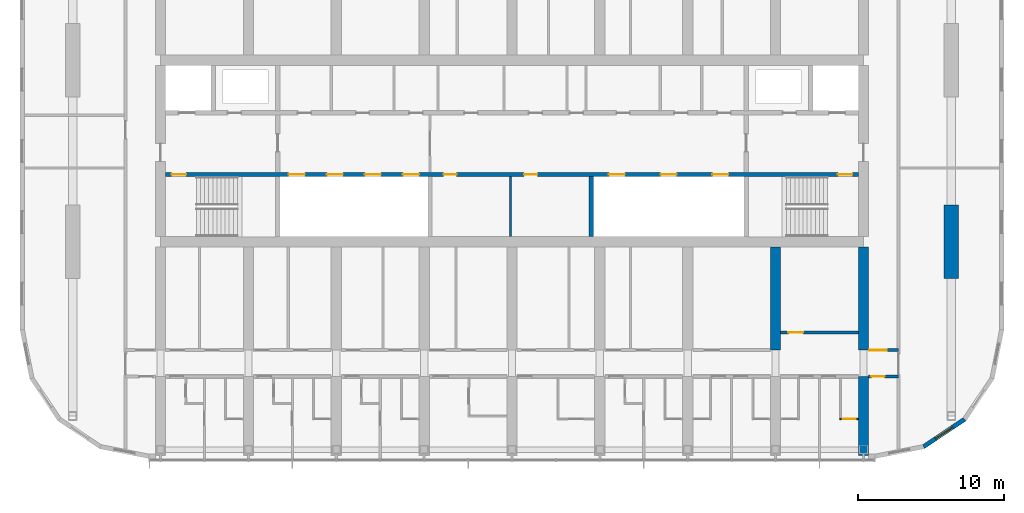
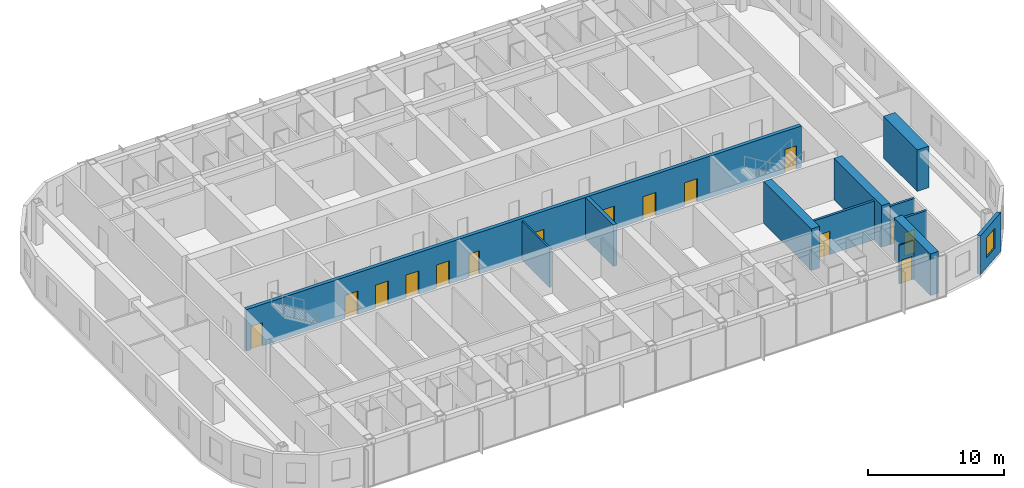
# One storey, part 14 of 24: 15 doors, 12 walls, 1 window, 16 openings.
"""IFC4 building model written with IfcOpenShell, lengths in metres."""

import ifcopenshell
import ifcopenshell.guid

model = None  # the IFC model being written
_history = None  # IfcOwnerHistory: only IFC2X3 demands one
_inside = {}  # id of a spatial element -> (the spatial element, [elements in it])
_under = {}  # id of a project, library or spatial element -> (it, [spatial elements below it])
_declared = {}  # id of a project -> (the project, [libraries it declares])
_typed = {}  # id of a type object -> (the type object, [elements of that type])
_made_of = {}  # id of a material, layer set ... -> (it, [elements and type objects made of it])


def new_model(schema):
    """Start an empty IFC model of exactly this schema.

    Asked for "IFC4X3", IfcOpenShell would pick the latest addendum, in which some entities
    have other attributes; the version numbers below select the first issue.
    IFC2X3 requires an IfcOwnerHistory on every rooted entity: one is made here for all.
    """
    global model, _history
    if schema == "IFC4X3":
        model = ifcopenshell.file(schema_version=(4, 3, 0, 0))
    else:
        model = ifcopenshell.file(schema=schema)
    _inside.clear()
    _under.clear()
    _declared.clear()
    _typed.clear()
    _made_of.clear()
    _history = None
    if model.schema == "IFC2X3":
        org = make("IfcOrganization", Name="unknown")
        user = make(
            "IfcPersonAndOrganization",
            ThePerson=make("IfcPerson", FamilyName="unknown"),
            TheOrganization=org,
        )
        app = make(
            "IfcApplication",
            ApplicationDeveloper=org,
            Version="unknown",
            ApplicationFullName="unknown",
            ApplicationIdentifier="unknown",
        )
        _history = make(
            "IfcOwnerHistory",
            OwningUser=user,
            OwningApplication=app,
            ChangeAction="ADDED",
            CreationDate=0,
        )
    return model


def make(cls, **values):
    """One entity of the class cls with the attributes given. An attribute that is None is left unset."""
    return model.create_entity(
        cls, **{name: value for name, value in values.items() if value is not None}
    )


def rooted(cls, **values):
    """An entity with a GlobalId (a new one), such as an element, a storey or a relation."""
    return make(cls, GlobalId=ifcopenshell.guid.new(), OwnerHistory=_history, **values)


def si_unit(unit_type, name, prefix=None):
    """IfcSIUnit, for example si_unit("LENGTHUNIT", "METRE", prefix="MILLI")."""
    return make("IfcSIUnit", UnitType=unit_type, Prefix=prefix, Name=name)


def assignment(units):
    """IfcUnitAssignment: the units of a project."""
    return None if units is None else make("IfcUnitAssignment", Units=units)


def point(xyz):
    """IfcCartesianPoint."""
    return None if xyz is None else make("IfcCartesianPoint", Coordinates=xyz)


def direction(xyz):
    """IfcDirection."""
    return None if xyz is None else make("IfcDirection", DirectionRatios=xyz)


def frame(location, z_axis=None, x_axis=None):
    """IfcAxis2Placement3D, a coordinate frame: its origin and axes. An axis left out is left unset."""
    return make(
        "IfcAxis2Placement3D",
        Location=point(location),
        Axis=direction(z_axis),
        RefDirection=direction(x_axis),
    )


def frame_2d(location, x_axis=None):
    """IfcAxis2Placement2D, a coordinate frame in the plane: its origin and x axis."""
    return make(
        "IfcAxis2Placement2D", Location=point(location), RefDirection=direction(x_axis)
    )


def origin():
    """The frame at (0, 0, 0) with its axes left unset."""
    return frame((0.0, 0.0, 0.0))


def place(relative_to, where):
    """IfcLocalPlacement: puts the frame where relative to a parent placement (None: the world)."""
    return make(
        "IfcLocalPlacement", PlacementRelTo=relative_to, RelativePlacement=where
    )


def context(
    kind, dimensions, precision=None, world=None, true_north=None, identifier=None
):
    """IfcGeometricRepresentationContext, for example the 3D "Model" context."""
    return make(
        "IfcGeometricRepresentationContext",
        ContextIdentifier=identifier,
        ContextType=kind,
        CoordinateSpaceDimension=dimensions,
        Precision=precision,
        WorldCoordinateSystem=world,
        TrueNorth=true_north,
    )


def subcontext(parent, identifier, kind, view, scale=None):
    """IfcGeometricRepresentationSubContext, for example "Body" below "Model"."""
    return make(
        "IfcGeometricRepresentationSubContext",
        ContextIdentifier=identifier,
        ContextType=kind,
        ParentContext=parent,
        TargetScale=scale,
        TargetView=view,
    )


def project(units=None, contexts=None):
    """IfcProject with its units and contexts."""
    return rooted(
        "IfcProject",
        Name="project",
        RepresentationContexts=contexts,
        UnitsInContext=assignment(units),
    )


def spatial(cls, under=None, at=None, **own):
    """A site, building, storey or space (cls), placed at a placement, below another one or the project."""
    s = rooted(cls, ObjectPlacement=at, **own)
    if under is not None:
        _under.setdefault(under.id(), (under, []))[1].append(s)
    return s


def polyline(points):
    """IfcPolyline through the points."""
    return make("IfcPolyline", Points=[point(p) for p in points])


def profile(cls, at=None, kind="AREA", **sizes):
    """A parametric profile (cls). Its sizes go by their IFC names, for example OverallWidth=200.0."""
    return make(cls, ProfileType=kind, Position=at, **sizes)


def rectangle(**sizes):
    """IfcRectangleProfileDef."""
    return profile("IfcRectangleProfileDef", **sizes)


def outline(outer, holes=None, kind="AREA"):
    """IfcArbitraryClosedProfileDef: a profile drawn as a closed curve; with holes, ...WithVoids."""
    if holes is None:
        return make("IfcArbitraryClosedProfileDef", ProfileType=kind, OuterCurve=outer)
    return make(
        "IfcArbitraryProfileDefWithVoids",
        ProfileType=kind,
        OuterCurve=outer,
        InnerCurves=holes,
    )


def extrude(swept, where, along, depth):
    """IfcExtrudedAreaSolid: the profile swept, set in the frame where, extruded along a direction by depth."""
    return make(
        "IfcExtrudedAreaSolid",
        SweptArea=swept,
        Position=where,
        ExtrudedDirection=direction(along),
        Depth=depth,
    )


def shape(context_of_items, identifier, shape_type, items):
    """IfcShapeRepresentation: the items that make up one representation, for example the "Body"."""
    return make(
        "IfcShapeRepresentation",
        ContextOfItems=context_of_items,
        RepresentationIdentifier=identifier,
        RepresentationType=shape_type,
        Items=items,
    )


def material(Name=None, Category=None):
    """IfcMaterial."""
    return make("IfcMaterial", Name=Name, Category=Category)


def layer(
    of_material, thickness, ventilated=None, Name=None, Category=None, Priority=None
):
    """IfcMaterialLayer: one layer of a wall or slab, of a material (None: an air gap)."""
    return make(
        "IfcMaterialLayer",
        Material=of_material,
        LayerThickness=thickness,
        IsVentilated=ventilated,
        Name=Name,
        Category=Category,
        Priority=Priority,
    )


def layer_set(layers, Name=None):
    """IfcMaterialLayerSet."""
    return make("IfcMaterialLayerSet", MaterialLayers=layers, LayerSetName=Name)


def made_of(thing, what):
    """Note that an element or type object is made of a material, layer set ...; save() writes the relation."""
    if what is not None:
        _made_of.setdefault(what.id(), (what, []))[1].append(thing)
    return thing


def type_object(cls, material=None, **own):
    """A type object (cls), such as IfcWallType, which elements share."""
    return made_of(rooted(cls, **own), material)


def element(
    cls,
    number,
    at=None,
    inside=None,
    cuts=None,
    type_object=None,
    material=None,
    context=None,
    identifier="Body",
    shape_type=None,
    held_by="IfcProductDefinitionShape",
    body=None,
    shapes=None,
    **own,
):
    """One element of the class cls, such as IfcWall. Its Tag is "e" and its number.

    at: its placement. inside: the storey or other place that contains it. cuts: it is an
    opening in that element (IfcRelVoidsElement). A single representation is given by context,
    identifier, shape_type and body (its items); several are given by shapes. held_by: the class
    of the entity that holds the representations. save() writes the other relations.
    """
    e = rooted(cls, Tag="e%d" % number, ObjectPlacement=at, **own)
    if body is not None:
        shapes = [shape(context, identifier, shape_type, body)]
    if shapes is not None:
        e.Representation = make(held_by, Representations=shapes)
    if inside is not None:
        _inside.setdefault(inside.id(), (inside, []))[1].append(e)
    if cuts is not None:
        rooted(
            "IfcRelVoidsElement", RelatingBuildingElement=cuts, RelatedOpeningElement=e
        )
    if type_object is not None:
        _typed.setdefault(type_object.id(), (type_object, []))[1].append(e)
    return made_of(e, material)


def fill(opening, filler):
    """IfcRelFillsElement: the door or window that sits in an opening."""
    return rooted(
        "IfcRelFillsElement",
        RelatingOpeningElement=opening,
        RelatedBuildingElement=filler,
    )


def aggregate(whole, parts):
    """IfcRelAggregates: a whole, such as a stair, and the parts it consists of."""
    return rooted("IfcRelAggregates", RelatingObject=whole, RelatedObjects=parts)


def save(model, path):
    """Write the relations noted so far, then the file.

    IfcRelAggregates (storeys below a building ...), IfcRelContainedInSpatialStructure (elements
    in a storey), IfcRelDefinesByType, IfcRelAssociatesMaterial and IfcRelDeclares: one each for
    every whole, place, type object, material and project.
    """
    for whole, parts in _under.values():
        aggregate(whole, parts)
    for where, things in _inside.values():
        rooted(
            "IfcRelContainedInSpatialStructure",
            RelatedElements=things,
            RelatingStructure=where,
        )
    for kind, things in _typed.values():
        rooted("IfcRelDefinesByType", RelatedObjects=things, RelatingType=kind)
    for what, things in _made_of.values():
        rooted("IfcRelAssociatesMaterial", RelatedObjects=things, RelatingMaterial=what)
    for by, libraries in _declared.values():
        rooted("IfcRelDeclares", RelatingContext=by, RelatedDefinitions=libraries)
    model.write(path)


model = new_model("IFC4")

# Units and contexts
model_context = context("Model", 3, precision=1e-05, world=origin(), true_north=direction((0.0, 1.0)))
body_context = subcontext(model_context, "Body", "Model", "MODEL_VIEW")
ifc_project = project(units=[si_unit("LENGTHUNIT", "METRE"), si_unit("AREAUNIT", "SQUARE_METRE"), si_unit("VOLUMEUNIT", "CUBIC_METRE"), si_unit("PLANEANGLEUNIT", "RADIAN"), si_unit("MASSUNIT", "GRAM", prefix="KILO")], contexts=[model_context])

# Site, building, storey
site_placement = place(None, origin())
site = spatial("IfcSite", under=ifc_project, at=site_placement, CompositionType="ELEMENT")
building_placement = place(site_placement, origin())
building = spatial("IfcBuilding", under=site, at=building_placement, Name="Orbita Commons", CompositionType="ELEMENT")
storey_placement = place(building_placement, frame((0.0, 0.0, 239.050048828125)))
storey = spatial("IfcBuildingStorey", under=building, at=storey_placement, Name="L59", CompositionType="ELEMENT", Elevation=239.050048828125)

# Wall, openings, doors
ifc_material_1 = material(Name="Concrete C50/60", Category="concrete")
ifc_layer_1 = layer(ifc_material_1, 0.300048828125)
ifc_layer_set_1 = layer_set([ifc_layer_1], Name="Concrete C50/60")
wall_type_1 = type_object("IfcWallType", Name="Core inner wall 300 C50/60", PredefinedType="SHEAR", material=ifc_layer_set_1)
wall_1_placement = place(storey_placement, frame((18.35009765625, 30.39990234375, 0.0), z_axis=(0.0, 0.0, 1.0), x_axis=(1.0, 0.0, 0.0)))
wall_1 = element("IfcWall", 1, at=wall_1_placement, inside=storey, type_object=wall_type_1, Name="Lobby wall south L59", PredefinedType="SHEAR", context=body_context, shape_type="SweptSolid", body=[
    extrude(rectangle(XDim=47.2998046875, YDim=0.300048828125, at=frame_2d((23.64990234375, 0.0))), origin(), (0.0, 0.0, 1.0), 3.75),
])
opening_1_placement = place(wall_1_placement, frame((0.39990234375, 0.0, 0.0)))
opening_1 = element("IfcOpeningElement", 2, at=opening_1_placement, cuts=wall_1, Name="Opening D02", PredefinedType="OPENING", context=body_context, shape_type="SweptSolid", body=[
    extrude(rectangle(XDim=1.0, YDim=2.10009765625, at=frame_2d((0.5, 1.050048828125))), frame((0.0, 0.159912109375, 0.0), z_axis=(0.0, -1.0, 0.0), x_axis=(1.0, 0.0, 0.0)), (0.0, 0.0, 1.0), 0.320068359375),
])
opening_2_placement = place(wall_1_placement, frame((45.89990234375, 0.0, 0.0)))
opening_2 = element("IfcOpeningElement", 3, at=opening_2_placement, cuts=wall_1, Name="Opening D02", PredefinedType="OPENING", context=body_context, shape_type="SweptSolid", body=[
    extrude(rectangle(XDim=1.0, YDim=2.10009765625, at=frame_2d((0.5, 1.050048828125))), frame((0.0, 0.159912109375, 0.0), z_axis=(0.0, -1.0, 0.0), x_axis=(1.0, 0.0, 0.0)), (0.0, 0.0, 1.0), 0.320068359375),
])
opening_3_placement = place(wall_1_placement, frame((8.39990234375, 0.0, 0.0)))
opening_3 = element("IfcOpeningElement", 4, at=opening_3_placement, cuts=wall_1, Name="Opening LD02", PredefinedType="OPENING", context=body_context, shape_type="SweptSolid", body=[
    extrude(rectangle(XDim=1.10009765625, YDim=2.10009765625, at=frame_2d((0.550048828125, 1.050048828125))), frame((0.0, 0.159912109375, 0.0), z_axis=(0.0, -1.0, 0.0), x_axis=(1.0, 0.0, 0.0)), (0.0, 0.0, 1.0), 0.320068359375),
])
opening_4_placement = place(wall_1_placement, frame((11.0, 0.0, 0.0)))
opening_4 = element("IfcOpeningElement", 5, at=opening_4_placement, cuts=wall_1, Name="Opening LD02", PredefinedType="OPENING", context=body_context, shape_type="SweptSolid", body=[
    extrude(rectangle(XDim=1.10009765625, YDim=2.10009765625, at=frame_2d((0.550048828125, 1.050048828125))), frame((0.0, 0.159912109375, 0.0), z_axis=(0.0, -1.0, 0.0), x_axis=(1.0, 0.0, 0.0)), (0.0, 0.0, 1.0), 0.320068359375),
])
opening_5_placement = place(wall_1_placement, frame((13.60009765625, 0.0, 0.0)))
opening_5 = element("IfcOpeningElement", 6, at=opening_5_placement, cuts=wall_1, Name="Opening LD02", PredefinedType="OPENING", context=body_context, shape_type="SweptSolid", body=[
    extrude(rectangle(XDim=1.10009765625, YDim=2.10009765625, at=frame_2d((0.550048828125, 1.050048828125))), frame((0.0, 0.159912109375, 0.0), z_axis=(0.0, -1.0, 0.0), x_axis=(1.0, 0.0, 0.0)), (0.0, 0.0, 1.0), 0.320068359375),
])
opening_6_placement = place(wall_1_placement, frame((16.199951171875, 0.0, 0.0)))
opening_6 = element("IfcOpeningElement", 7, at=opening_6_placement, cuts=wall_1, Name="Opening LD02", PredefinedType="OPENING", context=body_context, shape_type="SweptSolid", body=[
    extrude(rectangle(XDim=1.10009765625, YDim=2.10009765625, at=frame_2d((0.550048828125, 1.050048828125))), frame((0.0, 0.159912109375, 0.0), z_axis=(0.0, -1.0, 0.0), x_axis=(1.0, 0.0, 0.0)), (0.0, 0.0, 1.0), 0.320068359375),
])
opening_7_placement = place(wall_1_placement, frame((18.97509765625, 0.0, 0.0)))
opening_7 = element("IfcOpeningElement", 8, at=opening_7_placement, cuts=wall_1, Name="Opening D05", PredefinedType="OPENING", context=body_context, shape_type="SweptSolid", body=[
    extrude(rectangle(XDim=0.89990234375, YDim=2.10009765625, at=frame_2d((0.449951171875, 1.050048828125))), frame((0.0, 0.159912109375, 0.0), z_axis=(0.0, -1.0, 0.0), x_axis=(1.0, 0.0, 0.0)), (0.0, 0.0, 1.0), 0.320068359375),
])
opening_8_placement = place(wall_1_placement, frame((24.47509765625, 0.0, 0.0)))
opening_8 = element("IfcOpeningElement", 9, at=opening_8_placement, cuts=wall_1, Name="Opening D05", PredefinedType="OPENING", context=body_context, shape_type="SweptSolid", body=[
    extrude(rectangle(XDim=0.89990234375, YDim=2.10009765625, at=frame_2d((0.449951171875, 1.050048828125))), frame((0.0, 0.159912109375, 0.0), z_axis=(0.0, -1.0, 0.0), x_axis=(1.0, 0.0, 0.0)), (0.0, 0.0, 1.0), 0.320068359375),
])
opening_9_placement = place(wall_1_placement, frame((30.2666015625, 0.0, 0.0)))
opening_9 = element("IfcOpeningElement", 10, at=opening_9_placement, cuts=wall_1, Name="Opening LD02", PredefinedType="OPENING", context=body_context, shape_type="SweptSolid", body=[
    extrude(rectangle(XDim=1.10009765625, YDim=2.10009765625, at=frame_2d((0.550048828125, 1.050048828125))), frame((0.0, 0.159912109375, 0.0), z_axis=(0.0, -1.0, 0.0), x_axis=(1.0, 0.0, 0.0)), (0.0, 0.0, 1.0), 0.320068359375),
])
opening_10_placement = place(wall_1_placement, frame((33.800048828125, 0.0, 0.0)))
opening_10 = element("IfcOpeningElement", 11, at=opening_10_placement, cuts=wall_1, Name="Opening LD02", PredefinedType="OPENING", context=body_context, shape_type="SweptSolid", body=[
    extrude(rectangle(XDim=1.10009765625, YDim=2.10009765625, at=frame_2d((0.550048828125, 1.050048828125))), frame((0.0, 0.159912109375, 0.0), z_axis=(0.0, -1.0, 0.0), x_axis=(1.0, 0.0, 0.0)), (0.0, 0.0, 1.0), 0.320068359375),
])
opening_11_placement = place(wall_1_placement, frame((37.333251953125, 0.0, 0.0)))
opening_11 = element("IfcOpeningElement", 12, at=opening_11_placement, cuts=wall_1, Name="Opening LD02", PredefinedType="OPENING", context=body_context, shape_type="SweptSolid", body=[
    extrude(rectangle(XDim=1.10009765625, YDim=2.10009765625, at=frame_2d((0.550048828125, 1.050048828125))), frame((0.0, 0.159912109375, 0.0), z_axis=(0.0, -1.0, 0.0), x_axis=(1.0, 0.0, 0.0)), (0.0, 0.0, 1.0), 0.320068359375),
])
ifc_material_2 = material(Name="Steel-faced fire door leaf", Category="steel")
door_type_1 = type_object("IfcDoorType", Name="Fire door 90 min 1000x2100", OperationType="SINGLE_SWING_LEFT", PredefinedType="DOOR", material=ifc_material_2)
door_1_placement = place(opening_1_placement, origin())
door_1 = element("IfcDoor", 13, at=door_1_placement, inside=storey, type_object=door_type_1, Name="Stair S1 door", OperationType="SINGLE_SWING_LEFT", OverallHeight=2.10009765625, OverallWidth=1.0, PredefinedType="DOOR", context=body_context, shape_type="SweptSolid", body=[
    extrude(rectangle(XDim=1.0, YDim=2.10009765625, at=frame_2d((0.5, 1.050048828125))), frame((0.0, 0.02490234375, 0.0), z_axis=(0.0, -1.0, 0.0), x_axis=(1.0, 0.0, 0.0)), (0.0, 0.0, 1.0), 0.050048828125),
])
fill(opening_1, door_1)
door_2_placement = place(opening_2_placement, origin())
door_2 = element("IfcDoor", 14, at=door_2_placement, inside=storey, type_object=door_type_1, Name="Stair S2 door", OperationType="SINGLE_SWING_LEFT", OverallHeight=2.10009765625, OverallWidth=1.0, PredefinedType="DOOR", context=body_context, shape_type="SweptSolid", body=[
    extrude(rectangle(XDim=1.0, YDim=2.10009765625, at=frame_2d((0.5, 1.050048828125))), frame((0.0, 0.02490234375, 0.0), z_axis=(0.0, -1.0, 0.0), x_axis=(1.0, 0.0, 0.0)), (0.0, 0.0, 1.0), 0.050048828125),
])
fill(opening_2, door_2)
ifc_material_3 = material(Name="Steel-faced fire door leaf", Category="steel")
door_type_2 = type_object("IfcDoorType", Name="Lift landing door 1100x2100", OperationType="DOUBLE_DOOR_SLIDING", PredefinedType="DOOR", material=ifc_material_3)
door_3_placement = place(opening_3_placement, origin())
door_3 = element("IfcDoor", 15, at=door_3_placement, inside=storey, type_object=door_type_2, Name="Lift P41 landing door", OperationType="DOUBLE_DOOR_SLIDING", OverallHeight=2.10009765625, OverallWidth=1.10009765625, PredefinedType="DOOR", context=body_context, shape_type="SweptSolid", body=[
    extrude(rectangle(XDim=1.10009765625, YDim=2.10009765625, at=frame_2d((0.550048828125, 1.050048828125))), frame((0.0, 0.02490234375, 0.0), z_axis=(0.0, -1.0, 0.0), x_axis=(1.0, 0.0, 0.0)), (0.0, 0.0, 1.0), 0.050048828125),
])
fill(opening_3, door_3)
door_4_placement = place(opening_4_placement, origin())
door_4 = element("IfcDoor", 16, at=door_4_placement, inside=storey, type_object=door_type_2, Name="Lift P42 landing door", OperationType="DOUBLE_DOOR_SLIDING", OverallHeight=2.10009765625, OverallWidth=1.10009765625, PredefinedType="DOOR", context=body_context, shape_type="SweptSolid", body=[
    extrude(rectangle(XDim=1.10009765625, YDim=2.10009765625, at=frame_2d((0.550048828125, 1.050048828125))), frame((0.0, 0.02490234375, 0.0), z_axis=(0.0, -1.0, 0.0), x_axis=(1.0, 0.0, 0.0)), (0.0, 0.0, 1.0), 0.050048828125),
])
fill(opening_4, door_4)
door_5_placement = place(opening_5_placement, origin())
door_5 = element("IfcDoor", 17, at=door_5_placement, inside=storey, type_object=door_type_2, Name="Lift P43 landing door", OperationType="DOUBLE_DOOR_SLIDING", OverallHeight=2.10009765625, OverallWidth=1.10009765625, PredefinedType="DOOR", context=body_context, shape_type="SweptSolid", body=[
    extrude(rectangle(XDim=1.10009765625, YDim=2.10009765625, at=frame_2d((0.550048828125, 1.050048828125))), frame((0.0, 0.02490234375, 0.0), z_axis=(0.0, -1.0, 0.0), x_axis=(1.0, 0.0, 0.0)), (0.0, 0.0, 1.0), 0.050048828125),
])
fill(opening_5, door_5)
door_6_placement = place(opening_6_placement, origin())
door_6 = element("IfcDoor", 18, at=door_6_placement, inside=storey, type_object=door_type_2, Name="Lift P44 landing door", OperationType="DOUBLE_DOOR_SLIDING", OverallHeight=2.10009765625, OverallWidth=1.10009765625, PredefinedType="DOOR", context=body_context, shape_type="SweptSolid", body=[
    extrude(rectangle(XDim=1.10009765625, YDim=2.10009765625, at=frame_2d((0.550048828125, 1.050048828125))), frame((0.0, 0.02490234375, 0.0), z_axis=(0.0, -1.0, 0.0), x_axis=(1.0, 0.0, 0.0)), (0.0, 0.0, 1.0), 0.050048828125),
])
fill(opening_6, door_6)
door_7_placement = place(opening_9_placement, origin())
door_7 = element("IfcDoor", 19, at=door_7_placement, inside=storey, type_object=door_type_2, Name="Lift SV1 landing door", OperationType="DOUBLE_DOOR_SLIDING", OverallHeight=2.10009765625, OverallWidth=1.10009765625, PredefinedType="DOOR", context=body_context, shape_type="SweptSolid", body=[
    extrude(rectangle(XDim=1.10009765625, YDim=2.10009765625, at=frame_2d((0.550048828125, 1.050048828125))), frame((0.0, 0.02490234375, 0.0), z_axis=(0.0, -1.0, 0.0), x_axis=(1.0, 0.0, 0.0)), (0.0, 0.0, 1.0), 0.050048828125),
])
fill(opening_9, door_7)
door_8_placement = place(opening_10_placement, origin())
door_8 = element("IfcDoor", 20, at=door_8_placement, inside=storey, type_object=door_type_2, Name="Lift SV2 landing door", OperationType="DOUBLE_DOOR_SLIDING", OverallHeight=2.10009765625, OverallWidth=1.10009765625, PredefinedType="DOOR", context=body_context, shape_type="SweptSolid", body=[
    extrude(rectangle(XDim=1.10009765625, YDim=2.10009765625, at=frame_2d((0.550048828125, 1.050048828125))), frame((0.0, 0.02490234375, 0.0), z_axis=(0.0, -1.0, 0.0), x_axis=(1.0, 0.0, 0.0)), (0.0, 0.0, 1.0), 0.050048828125),
])
fill(opening_10, door_8)
door_9_placement = place(opening_11_placement, origin())
door_9 = element("IfcDoor", 21, at=door_9_placement, inside=storey, type_object=door_type_2, Name="Lift SV3 landing door", OperationType="DOUBLE_DOOR_SLIDING", OverallHeight=2.10009765625, OverallWidth=1.10009765625, PredefinedType="DOOR", context=body_context, shape_type="SweptSolid", body=[
    extrude(rectangle(XDim=1.10009765625, YDim=2.10009765625, at=frame_2d((0.550048828125, 1.050048828125))), frame((0.0, 0.02490234375, 0.0), z_axis=(0.0, -1.0, 0.0), x_axis=(1.0, 0.0, 0.0)), (0.0, 0.0, 1.0), 0.050048828125),
])
fill(opening_11, door_9)
ifc_material_4 = material(Name="Steel-faced fire door leaf", Category="steel")
door_type_3 = type_object("IfcDoorType", Name="Service door 20 min 900x2100", OperationType="SINGLE_SWING_LEFT", PredefinedType="DOOR", material=ifc_material_4)
door_10_placement = place(opening_7_placement, origin())
door_10 = element("IfcDoor", 22, at=door_10_placement, inside=storey, type_object=door_type_3, Name="Mail room door", OperationType="SINGLE_SWING_LEFT", OverallHeight=2.10009765625, OverallWidth=0.89990234375, PredefinedType="DOOR", context=body_context, shape_type="SweptSolid", body=[
    extrude(rectangle(XDim=0.89990234375, YDim=2.10009765625, at=frame_2d((0.449951171875, 1.050048828125))), frame((0.0, 0.02490234375, 0.0), z_axis=(0.0, -1.0, 0.0), x_axis=(1.0, 0.0, 0.0)), (0.0, 0.0, 1.0), 0.050048828125),
])
fill(opening_7, door_10)
door_11_placement = place(opening_8_placement, origin())
door_11 = element("IfcDoor", 23, at=door_11_placement, inside=storey, type_object=door_type_3, Name="Residents' store door", OperationType="SINGLE_SWING_LEFT", OverallHeight=2.10009765625, OverallWidth=0.89990234375, PredefinedType="DOOR", context=body_context, shape_type="SweptSolid", body=[
    extrude(rectangle(XDim=0.89990234375, YDim=2.10009765625, at=frame_2d((0.449951171875, 1.050048828125))), frame((0.0, 0.02490234375, 0.0), z_axis=(0.0, -1.0, 0.0), x_axis=(1.0, 0.0, 0.0)), (0.0, 0.0, 1.0), 0.050048828125),
])
fill(opening_8, door_11)

# Walls
wall_2_placement = place(storey_placement, frame((47.39990234375, 26.14990234375, 0.0), z_axis=(0.0, 0.0, 1.0), x_axis=(0.0, 1.0, 0.0)))
element("IfcWall", 24, at=wall_2_placement, inside=storey, type_object=wall_type_1, Name="Hoistway division wall L59", PredefinedType="SHEAR", context=body_context, shape_type="SweptSolid", body=[
    extrude(rectangle(XDim=4.10009765625, YDim=0.300048828125, at=frame_2d((2.050048828125, 0.0))), origin(), (0.0, 0.0, 1.0), 3.75),
])
ifc_material_5 = material(Name="Concrete blockwork", Category="masonry")
ifc_layer_2 = layer(ifc_material_5, 0.14990234375)
ifc_layer_set_2 = layer_set([ifc_layer_2], Name="Concrete blockwork")
wall_type_2 = type_object("IfcWallType", Name="Core partition 150 blockwork", PredefinedType="SOLIDWALL", material=ifc_layer_set_2)
wall_3_placement = place(storey_placement, frame((41.89990234375, 26.14990234375, 0.0), z_axis=(0.0, 0.0, 1.0), x_axis=(0.0, 1.0, 0.0)))
element("IfcWall", 25, at=wall_3_placement, inside=storey, type_object=wall_type_2, Name="Core partition 150 blockwork L59", PredefinedType="SOLIDWALL", context=body_context, shape_type="SweptSolid", body=[
    extrude(rectangle(XDim=4.10009765625, YDim=0.14990234375, at=frame_2d((2.050048828125, 0.0))), origin(), (0.0, 0.0, 1.0), 3.5),
])

# Wall, opening, door
ifc_material_6 = material(Name="Concrete blockwork", Category="masonry")
ifc_layer_3 = layer(ifc_material_6, 0.199951171875)
ifc_layer_set_3 = layer_set([ifc_layer_3], Name="Concrete blockwork")
wall_type_3 = type_object("IfcWallType", Name="Corridor wall 200 blockwork", PredefinedType="SOLIDWALL", material=ifc_layer_set_3)
wall_4_placement = place(storey_placement, frame((66.35009765625, 16.60009765625, 0.0), z_axis=(0.0, 0.0, 1.0), x_axis=(1.0, 0.0, 0.0)))
wall_4 = element("IfcWall", 26, at=wall_4_placement, inside=storey, type_object=wall_type_3, Name="Corridor wall 200 blockwork L59", PredefinedType="SOLIDWALL", context=body_context, shape_type="SweptSolid", body=[
    extrude(rectangle(XDim=2.0498046875, YDim=0.199951171875, at=frame_2d((1.02490234375, 0.0))), origin(), (0.0, 0.0, 1.0), 3.5),
])
opening_12_placement = place(wall_4_placement, frame((0.199951171875, 0.0, 0.0)))
opening_12 = element("IfcOpeningElement", 27, at=opening_12_placement, cuts=wall_4, Name="Opening D05", PredefinedType="OPENING", context=body_context, shape_type="SweptSolid", body=[
    extrude(rectangle(XDim=0.89990234375, YDim=2.10009765625, at=frame_2d((0.449951171875, 1.050048828125))), frame((0.0, 0.10986328125, 0.0), z_axis=(0.0, -1.0, 0.0), x_axis=(1.0, 0.0, 0.0)), (0.0, 0.0, 1.0), 0.219970703125),
])
door_12_placement = place(opening_12_placement, origin())
door_12 = element("IfcDoor", 28, at=door_12_placement, inside=storey, type_object=door_type_3, Name="Linen store L59-KES door", OperationType="SINGLE_SWING_LEFT", OverallHeight=2.10009765625, OverallWidth=0.89990234375, PredefinedType="DOOR", context=body_context, shape_type="SweptSolid", body=[
    extrude(rectangle(XDim=0.89990234375, YDim=2.10009765625, at=frame_2d((0.449951171875, 1.050048828125))), frame((0.0, 0.02490234375, 0.0), z_axis=(0.0, -1.0, 0.0), x_axis=(1.0, 0.0, 0.0)), (0.0, 0.0, 1.0), 0.050048828125),
])
fill(opening_12, door_12)

ifc_material_7 = material(Name="Hollow concrete block 200", Category="concrete")
ifc_layer_4 = layer(ifc_material_7, 0.199951171875)
ifc_layer_set_4 = layer_set([ifc_layer_4], Name="Hollow concrete block 200")
wall_type_4 = type_object("IfcWallType", Name="Corridor wall 200 hollow concrete block", PredefinedType="SOLIDWALL", material=ifc_layer_set_4)
wall_5_placement = place(storey_placement, frame((66.35009765625, 18.39990234375, 0.0), z_axis=(0.0, 0.0, 1.0), x_axis=(1.0, 0.0, 0.0)))
wall_5 = element("IfcWall", 29, at=wall_5_placement, inside=storey, type_object=wall_type_4, Name="Corridor wall 200 hollow concrete block L59", PredefinedType="SOLIDWALL", context=body_context, shape_type="SweptSolid", body=[
    extrude(rectangle(XDim=2.0498046875, YDim=0.199951171875, at=frame_2d((1.02490234375, 0.0))), origin(), (0.0, 0.0, 1.0), 3.5),
])
opening_13_placement = place(wall_5_placement, frame((0.050048828125, 0.0, 0.0)))
opening_13 = element("IfcOpeningElement", 30, at=opening_13_placement, cuts=wall_5, Name="Opening D12", PredefinedType="OPENING", context=body_context, shape_type="SweptSolid", body=[
    extrude(rectangle(XDim=1.199951171875, YDim=2.10009765625, at=frame_2d((0.60009765625, 1.050048828125))), frame((0.0, 0.10986328125, 0.0), z_axis=(0.0, -1.0, 0.0), x_axis=(1.0, 0.0, 0.0)), (0.0, 0.0, 1.0), 0.219970703125),
])
ifc_material_8 = material(Name="Steel-faced fire door leaf", Category="steel")
door_type_4 = type_object("IfcDoorType", Name="Double corridor door 20 min 1200x2100", OperationType="DOUBLE_DOOR_SINGLE_SWING", PredefinedType="DOOR", material=ifc_material_8)
door_13_placement = place(opening_13_placement, origin())
door_13 = element("IfcDoor", 31, at=door_13_placement, inside=storey, type_object=door_type_4, Name="Cross corridor doors", OperationType="DOUBLE_DOOR_SINGLE_SWING", OverallHeight=2.10009765625, OverallWidth=1.199951171875, PredefinedType="DOOR", context=body_context, shape_type="SweptSolid", body=[
    extrude(rectangle(XDim=1.199951171875, YDim=2.10009765625, at=frame_2d((0.60009765625, 1.050048828125))), frame((0.0, 0.02490234375, 0.0), z_axis=(0.0, -1.0, 0.0), x_axis=(1.0, 0.0, 0.0)), (0.0, 0.0, 1.0), 0.050048828125),
])
fill(opening_13, door_13)

wall_6_placement = place(storey_placement, frame((60.35009765625, 19.60009765625, 0.0), z_axis=(0.0, 0.0, 1.0), x_axis=(1.0, 0.0, 0.0)))
wall_6 = element("IfcWall", 32, at=wall_6_placement, inside=storey, type_object=wall_type_4, Name="Corridor wall 200 hollow concrete block L59", PredefinedType="SOLIDWALL", context=body_context, shape_type="SweptSolid", body=[
    extrude(rectangle(XDim=5.2998046875, YDim=0.199951171875, at=frame_2d((2.64990234375, 0.0))), origin(), (0.0, 0.0, 1.0), 3.5),
])
opening_14_placement = place(wall_6_placement, frame((0.52490234375, 0.0, 0.0)))
opening_14 = element("IfcOpeningElement", 33, at=opening_14_placement, cuts=wall_6, Name="Opening D06", PredefinedType="OPENING", context=body_context, shape_type="SweptSolid", body=[
    extrude(rectangle(XDim=1.0, YDim=2.10009765625, at=frame_2d((0.5, 1.050048828125))), frame((0.0, 0.10986328125, 0.0), z_axis=(0.0, -1.0, 0.0), x_axis=(1.0, 0.0, 0.0)), (0.0, 0.0, 1.0), 0.219970703125),
])
ifc_material_9 = material(Name="Steel-faced fire door leaf", Category="steel")
door_type_5 = type_object("IfcDoorType", Name="Corridor door 20 min 1000x2100", OperationType="SINGLE_SWING_LEFT", PredefinedType="DOOR", material=ifc_material_9)
door_14_placement = place(opening_14_placement, origin())
door_14 = element("IfcDoor", 34, at=door_14_placement, inside=storey, type_object=door_type_5, Name="Ventilation plant room north L59-BDS60 door", OperationType="SINGLE_SWING_LEFT", OverallHeight=2.10009765625, OverallWidth=1.0, PredefinedType="DOOR", context=body_context, shape_type="SweptSolid", body=[
    extrude(rectangle(XDim=1.0, YDim=2.10009765625, at=frame_2d((0.5, 1.050048828125))), frame((0.0, 0.02490234375, 0.0), z_axis=(0.0, -1.0, 0.0), x_axis=(1.0, 0.0, 0.0)), (0.0, 0.0, 1.0), 0.050048828125),
])
fill(opening_14, door_14)

# Walls
ifc_material_10 = material(Name="Concrete C50/60", Category="concrete")
ifc_layer_5 = layer(ifc_material_10, 0.699951171875)
ifc_layer_set_5 = layer_set([ifc_layer_5], Name="Concrete C50/60")
wall_type_5 = type_object("IfcWallType", Name="Cross wall 700 C50/60", PredefinedType="SHEAR", material=ifc_layer_set_5)
wall_7_placement = place(storey_placement, frame((60.0, 18.39990234375, 0.0), z_axis=(0.0, 0.0, 1.0), x_axis=(0.0, 1.0, 0.0)))
element("IfcWall", 35, at=wall_7_placement, inside=storey, type_object=wall_type_5, Name="Cross wall 11 south inner L59", PredefinedType="SHEAR", context=body_context, shape_type="SweptSolid", body=[
    extrude(rectangle(XDim=7.050048828125, YDim=0.699951171875, at=frame_2d((3.52490234375, 0.0))), origin(), (0.0, 0.0, 1.0), 3.75),
])
wall_8_placement = place(storey_placement, frame((66.0, 11.199951171875, 0.0), z_axis=(0.0, 0.0, 1.0), x_axis=(0.0, 1.0, 0.0)))
element("IfcWall", 36, at=wall_8_placement, inside=storey, type_object=wall_type_5, Name="Cross wall 12 south outer L59", PredefinedType="SHEAR", context=body_context, shape_type="SweptSolid", body=[
    extrude(rectangle(XDim=5.400146484375, YDim=0.699951171875, at=frame_2d((2.7001953125, 0.0))), origin(), (0.0, 0.0, 1.0), 3.75),
])
wall_9_placement = place(storey_placement, frame((66.0, 18.39990234375, 0.0), z_axis=(0.0, 0.0, 1.0), x_axis=(0.0, 1.0, 0.0)))
element("IfcWall", 37, at=wall_9_placement, inside=storey, type_object=wall_type_5, Name="Cross wall 12 south inner L59", PredefinedType="SHEAR", context=body_context, shape_type="SweptSolid", body=[
    extrude(rectangle(XDim=7.050048828125, YDim=0.699951171875, at=frame_2d((3.52490234375, 0.0))), origin(), (0.0, 0.0, 1.0), 3.75),
])

# Wall, opening, door
ifc_material_11 = material(Name="Moisture-resistant plasterboard on steel studs", Category="steel")
ifc_layer_6 = layer(ifc_material_11, 0.10009765625)
ifc_layer_set_6 = layer_set([ifc_layer_6], Name="Moisture-resistant plasterboard on steel studs")
wall_type_6 = type_object("IfcWallType", Name="En-suite partition 100", PredefinedType="PARTITIONING", material=ifc_layer_set_6)
wall_10_placement = place(storey_placement, frame((65.64990234375, 13.699951171875, 0.0), z_axis=(0.0, 0.0, 1.0), x_axis=(-1.0, 0.0, 0.0)))
wall_10 = element("IfcWall", 38, at=wall_10_placement, inside=storey, type_object=wall_type_6, Name="En-suite partition 100 L59", PredefinedType="PARTITIONING", context=body_context, shape_type="SweptSolid", body=[
    extrude(rectangle(XDim=1.25, YDim=0.10009765625, at=frame_2d((0.625, 0.0))), origin(), (0.0, 0.0, 1.0), 3.5),
])
opening_15_placement = place(wall_10_placement, frame((0.175048828125, 0.0, 0.0)))
opening_15 = element("IfcOpeningElement", 39, at=opening_15_placement, cuts=wall_10, Name="Opening D09", PredefinedType="OPENING", context=body_context, shape_type="SweptSolid", body=[
    extrude(rectangle(XDim=0.89990234375, YDim=2.10009765625, at=frame_2d((0.449951171875, 1.050048828125))), frame((0.0, 0.06005859375, 0.0), z_axis=(0.0, -1.0, 0.0), x_axis=(1.0, 0.0, 0.0)), (0.0, 0.0, 1.0), 0.1201171875),
])
ifc_material_12 = material(Name="Laminated timber door leaf", Category="wood")
door_type_6 = type_object("IfcDoorType", Name="En-suite door 900x2100", OperationType="SINGLE_SWING_RIGHT", PredefinedType="DOOR", material=ifc_material_12)
door_15_placement = place(opening_15_placement, origin())
door_15 = element("IfcDoor", 40, at=door_15_placement, inside=storey, type_object=door_type_6, Name="En-suite L59-S15 door", OperationType="SINGLE_SWING_RIGHT", OverallHeight=2.10009765625, OverallWidth=0.89990234375, PredefinedType="DOOR", context=body_context, shape_type="SweptSolid", body=[
    extrude(rectangle(XDim=0.89990234375, YDim=2.10009765625, at=frame_2d((0.449951171875, 1.050048828125))), frame((0.0, 0.02490234375, 0.0), z_axis=(0.0, -1.0, 0.0), x_axis=(1.0, 0.0, 0.0)), (0.0, 0.0, 1.0), 0.050048828125),
])
fill(opening_15, door_15)

# Wall
ifc_material_13 = material(Name="Concrete C50/60", Category="concrete")
ifc_layer_7 = layer(ifc_material_13, 1.0)
ifc_layer_set_7 = layer_set([ifc_layer_7], Name="Concrete C50/60")
wall_type_7 = type_object("IfcWallType", Name="End pier 1000x5000 C50/60", PredefinedType="SHEAR", material=ifc_layer_set_7)
wall_11_placement = place(storey_placement, frame((72.0, 23.300048828125, 0.0), z_axis=(0.0, 0.0, 1.0), x_axis=(0.0, 1.0, 0.0)))
element("IfcWall", 41, at=wall_11_placement, inside=storey, type_object=wall_type_7, Name="End pier 13/C L59", PredefinedType="SHEAR", context=body_context, shape_type="SweptSolid", body=[
    extrude(rectangle(XDim=5.0, YDim=1.0, at=frame_2d((2.5, 0.0))), origin(), (0.0, 0.0, 1.0), 3.75),
])

# Wall, opening, window
ifc_material_14 = material(Name="Precast concrete C40/50, white board-marked finish", Category="concrete")
ifc_layer_8 = layer(ifc_material_14, 0.300048828125)
ifc_layer_set_8 = layer_set([ifc_layer_8], Name="Precast concrete C40/50, white board-marked finish")
wall_type_8 = type_object("IfcWallType", Name="Precast concrete end shield 300", PredefinedType="SOLIDWALL", material=ifc_layer_set_8)
wall_12_placement = place(storey_placement, frame((70.110107421875, 11.808349609375, 0.0), z_axis=(0.0, 0.0, 1.0), x_axis=(0.831460037396, 0.555584562613, 0.0)))
wall_12 = element("IfcWall", 42, at=wall_12_placement, inside=storey, type_object=wall_type_8, Name="End shield SE chord 2 L59", PredefinedType="SOLIDWALL", context=body_context, shape_type="SweptSolid", body=[
    extrude(outline(polyline([(-0.02978515625, -0.14990234375), (3.405029296875, -0.14990234375), (3.345458984375, 0.14990234375), (0.02978515625, 0.14990234375), (-0.02978515625, -0.14990234375)])), origin(), (0.0, 0.0, 1.0), 3.5),
])
opening_16_placement = place(wall_12_placement, frame((0.987548828125, 0.0, 0.89990234375)))
opening_16 = element("IfcOpeningElement", 43, at=opening_16_placement, cuts=wall_12, Name="Opening W02", PredefinedType="OPENING", context=body_context, shape_type="SweptSolid", body=[
    extrude(rectangle(XDim=1.39990234375, YDim=1.800048828125, at=frame_2d((0.699951171875, 0.89990234375))), frame((0.0, 0.159912109375, 0.0), z_axis=(0.0, -1.0, 0.0), x_axis=(1.0, 0.0, 0.0)), (0.0, 0.0, 1.0), 0.320068359375),
])
ifc_material_15 = material(Name="Aluminium frame, clear double glazing", Category="aluminium")
window_type = type_object("IfcWindowType", Name="Deep-set window 1400x1800", PartitioningType="SINGLE_PANEL", PredefinedType="WINDOW", material=ifc_material_15)
window_placement = place(opening_16_placement, origin())
window = element("IfcWindow", 44, at=window_placement, inside=storey, type_object=window_type, Name="Window L59-SE1", OverallHeight=1.800048828125, OverallWidth=1.39990234375, PartitioningType="SINGLE_PANEL", PredefinedType="WINDOW", context=body_context, shape_type="SweptSolid", body=[
    extrude(rectangle(XDim=1.39990234375, YDim=1.800048828125, at=frame_2d((0.699951171875, 0.89990234375))), frame((0.0, 0.030029296875, 0.0), z_axis=(0.0, -1.0, 0.0), x_axis=(1.0, 0.0, 0.0)), (0.0, 0.0, 1.0), 0.06005859375),
])
fill(opening_16, window)

save(model, "model.ifc")
